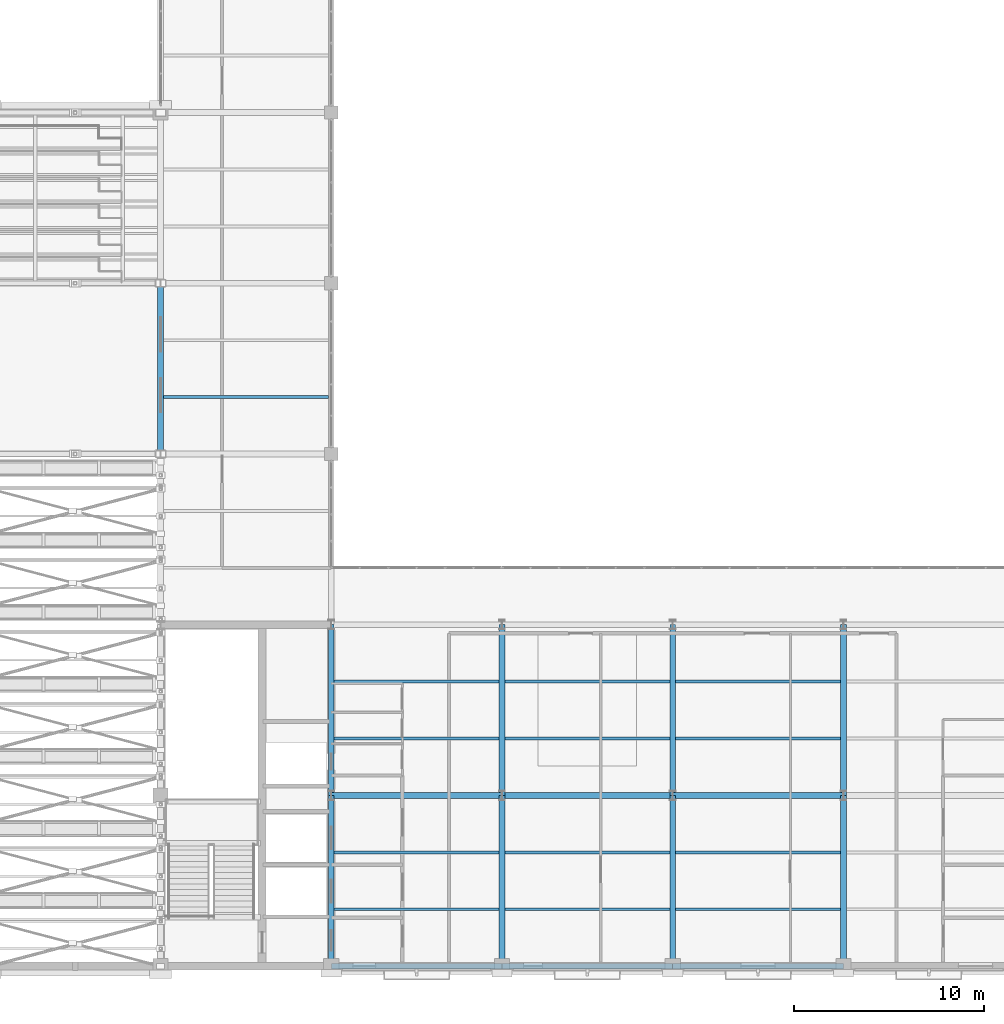
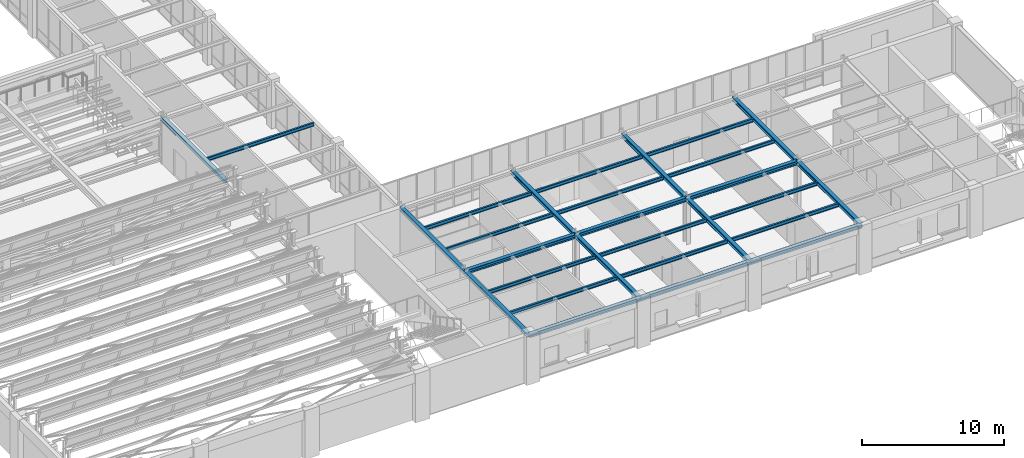
# One storey, part 26 of 108: 28 beams.
"""IFC4 building model written with IfcOpenShell, lengths in metres."""

import ifcopenshell
import ifcopenshell.guid

model = None  # the IFC model being written
_history = None  # IfcOwnerHistory: only IFC2X3 demands one
_inside = {}  # id of a spatial element -> (the spatial element, [elements in it])
_under = {}  # id of a project, library or spatial element -> (it, [spatial elements below it])
_declared = {}  # id of a project -> (the project, [libraries it declares])
_typed = {}  # id of a type object -> (the type object, [elements of that type])
_made_of = {}  # id of a material, layer set ... -> (it, [elements and type objects made of it])


def new_model(schema):
    """Start an empty IFC model of exactly this schema.

    Asked for "IFC4X3", IfcOpenShell would pick the latest addendum, in which some entities
    have other attributes; the version numbers below select the first issue.
    IFC2X3 requires an IfcOwnerHistory on every rooted entity: one is made here for all.
    """
    global model, _history
    if schema == "IFC4X3":
        model = ifcopenshell.file(schema_version=(4, 3, 0, 0))
    else:
        model = ifcopenshell.file(schema=schema)
    _inside.clear()
    _under.clear()
    _declared.clear()
    _typed.clear()
    _made_of.clear()
    _history = None
    if model.schema == "IFC2X3":
        org = make("IfcOrganization", Name="unknown")
        user = make(
            "IfcPersonAndOrganization",
            ThePerson=make("IfcPerson", FamilyName="unknown"),
            TheOrganization=org,
        )
        app = make(
            "IfcApplication",
            ApplicationDeveloper=org,
            Version="unknown",
            ApplicationFullName="unknown",
            ApplicationIdentifier="unknown",
        )
        _history = make(
            "IfcOwnerHistory",
            OwningUser=user,
            OwningApplication=app,
            ChangeAction="ADDED",
            CreationDate=0,
        )
    return model


def make(cls, **values):
    """One entity of the class cls with the attributes given. An attribute that is None is left unset."""
    return model.create_entity(
        cls, **{name: value for name, value in values.items() if value is not None}
    )


def rooted(cls, **values):
    """An entity with a GlobalId (a new one), such as an element, a storey or a relation."""
    return make(cls, GlobalId=ifcopenshell.guid.new(), OwnerHistory=_history, **values)


def si_unit(unit_type, name, prefix=None):
    """IfcSIUnit, for example si_unit("LENGTHUNIT", "METRE", prefix="MILLI")."""
    return make("IfcSIUnit", UnitType=unit_type, Prefix=prefix, Name=name)


def assignment(units):
    """IfcUnitAssignment: the units of a project."""
    return None if units is None else make("IfcUnitAssignment", Units=units)


def point(xyz):
    """IfcCartesianPoint."""
    return None if xyz is None else make("IfcCartesianPoint", Coordinates=xyz)


def direction(xyz):
    """IfcDirection."""
    return None if xyz is None else make("IfcDirection", DirectionRatios=xyz)


def frame(location, z_axis=None, x_axis=None):
    """IfcAxis2Placement3D, a coordinate frame: its origin and axes. An axis left out is left unset."""
    return make(
        "IfcAxis2Placement3D",
        Location=point(location),
        Axis=direction(z_axis),
        RefDirection=direction(x_axis),
    )


def frame_2d(location, x_axis=None):
    """IfcAxis2Placement2D, a coordinate frame in the plane: its origin and x axis."""
    return make(
        "IfcAxis2Placement2D", Location=point(location), RefDirection=direction(x_axis)
    )


def origin():
    """The frame at (0, 0, 0) with its axes left unset."""
    return frame((0.0, 0.0, 0.0))


def origin_2d():
    """The frame at (0, 0) in the plane with its x axis left unset."""
    return frame_2d((0.0, 0.0))


def place(relative_to, where):
    """IfcLocalPlacement: puts the frame where relative to a parent placement (None: the world)."""
    return make(
        "IfcLocalPlacement", PlacementRelTo=relative_to, RelativePlacement=where
    )


def context(
    kind, dimensions, precision=None, world=None, true_north=None, identifier=None
):
    """IfcGeometricRepresentationContext, for example the 3D "Model" context."""
    return make(
        "IfcGeometricRepresentationContext",
        ContextIdentifier=identifier,
        ContextType=kind,
        CoordinateSpaceDimension=dimensions,
        Precision=precision,
        WorldCoordinateSystem=world,
        TrueNorth=true_north,
    )


def subcontext(parent, identifier, kind, view, scale=None):
    """IfcGeometricRepresentationSubContext, for example "Body" below "Model"."""
    return make(
        "IfcGeometricRepresentationSubContext",
        ContextIdentifier=identifier,
        ContextType=kind,
        ParentContext=parent,
        TargetScale=scale,
        TargetView=view,
    )


def project(units=None, contexts=None):
    """IfcProject with its units and contexts."""
    return rooted(
        "IfcProject",
        Name="project",
        RepresentationContexts=contexts,
        UnitsInContext=assignment(units),
    )


def spatial(cls, under=None, at=None, **own):
    """A site, building, storey or space (cls), placed at a placement, below another one or the project."""
    s = rooted(cls, ObjectPlacement=at, **own)
    if under is not None:
        _under.setdefault(under.id(), (under, []))[1].append(s)
    return s


def profile(cls, at=None, kind="AREA", **sizes):
    """A parametric profile (cls). Its sizes go by their IFC names, for example OverallWidth=200.0."""
    return make(cls, ProfileType=kind, Position=at, **sizes)


def i_section(**sizes):
    """IfcIShapeProfileDef."""
    return profile("IfcIShapeProfileDef", **sizes)


def extrude(swept, where, along, depth):
    """IfcExtrudedAreaSolid: the profile swept, set in the frame where, extruded along a direction by depth."""
    return make(
        "IfcExtrudedAreaSolid",
        SweptArea=swept,
        Position=where,
        ExtrudedDirection=direction(along),
        Depth=depth,
    )


def shape(context_of_items, identifier, shape_type, items):
    """IfcShapeRepresentation: the items that make up one representation, for example the "Body"."""
    return make(
        "IfcShapeRepresentation",
        ContextOfItems=context_of_items,
        RepresentationIdentifier=identifier,
        RepresentationType=shape_type,
        Items=items,
    )


def material(Name=None, Category=None):
    """IfcMaterial."""
    return make("IfcMaterial", Name=Name, Category=Category)


def material_profile(
    of_material, cross_section, Name=None, Category=None, Priority=None
):
    """IfcMaterialProfile: a cross section and its material."""
    return make(
        "IfcMaterialProfile",
        Name=Name,
        Material=of_material,
        Profile=cross_section,
        Priority=Priority,
        Category=Category,
    )


def profile_set(profiles, Name=None, composite=None):
    """IfcMaterialProfileSet."""
    return make(
        "IfcMaterialProfileSet",
        Name=Name,
        MaterialProfiles=profiles,
        CompositeProfile=composite,
    )


def made_of(thing, what):
    """Note that an element or type object is made of a material, layer set ...; save() writes the relation."""
    if what is not None:
        _made_of.setdefault(what.id(), (what, []))[1].append(thing)
    return thing


def type_object(cls, material=None, **own):
    """A type object (cls), such as IfcWallType, which elements share."""
    return made_of(rooted(cls, **own), material)


def element(
    cls,
    number,
    at=None,
    inside=None,
    cuts=None,
    type_object=None,
    material=None,
    context=None,
    identifier="Body",
    shape_type=None,
    held_by="IfcProductDefinitionShape",
    body=None,
    shapes=None,
    **own,
):
    """One element of the class cls, such as IfcWall. Its Tag is "e" and its number.

    at: its placement. inside: the storey or other place that contains it. cuts: it is an
    opening in that element (IfcRelVoidsElement). A single representation is given by context,
    identifier, shape_type and body (its items); several are given by shapes. held_by: the class
    of the entity that holds the representations. save() writes the other relations.
    """
    e = rooted(cls, Tag="e%d" % number, ObjectPlacement=at, **own)
    if body is not None:
        shapes = [shape(context, identifier, shape_type, body)]
    if shapes is not None:
        e.Representation = make(held_by, Representations=shapes)
    if inside is not None:
        _inside.setdefault(inside.id(), (inside, []))[1].append(e)
    if cuts is not None:
        rooted(
            "IfcRelVoidsElement", RelatingBuildingElement=cuts, RelatedOpeningElement=e
        )
    if type_object is not None:
        _typed.setdefault(type_object.id(), (type_object, []))[1].append(e)
    return made_of(e, material)


def aggregate(whole, parts):
    """IfcRelAggregates: a whole, such as a stair, and the parts it consists of."""
    return rooted("IfcRelAggregates", RelatingObject=whole, RelatedObjects=parts)


def save(model, path):
    """Write the relations noted so far, then the file.

    IfcRelAggregates (storeys below a building ...), IfcRelContainedInSpatialStructure (elements
    in a storey), IfcRelDefinesByType, IfcRelAssociatesMaterial and IfcRelDeclares: one each for
    every whole, place, type object, material and project.
    """
    for whole, parts in _under.values():
        aggregate(whole, parts)
    for where, things in _inside.values():
        rooted(
            "IfcRelContainedInSpatialStructure",
            RelatedElements=things,
            RelatingStructure=where,
        )
    for kind, things in _typed.values():
        rooted("IfcRelDefinesByType", RelatedObjects=things, RelatingType=kind)
    for what, things in _made_of.values():
        rooted("IfcRelAssociatesMaterial", RelatedObjects=things, RelatingMaterial=what)
    for by, libraries in _declared.values():
        rooted("IfcRelDeclares", RelatingContext=by, RelatedDefinitions=libraries)
    model.write(path)


model = new_model("IFC4")

# Units and contexts
model_context = context("Model", 3, precision=1e-05, world=origin(), true_north=direction((0.0, 1.0)))
body_context = subcontext(model_context, "Body", "Model", "MODEL_VIEW")
ifc_project = project(units=[si_unit("LENGTHUNIT", "METRE"), si_unit("AREAUNIT", "SQUARE_METRE"), si_unit("VOLUMEUNIT", "CUBIC_METRE"), si_unit("PLANEANGLEUNIT", "RADIAN"), si_unit("MASSUNIT", "GRAM", prefix="KILO")], contexts=[model_context])

# Site, building, storey
site_placement = place(None, origin())
site = spatial("IfcSite", under=ifc_project, at=site_placement, CompositionType="ELEMENT")
building_placement = place(site_placement, origin())
building = spatial("IfcBuilding", under=site, at=building_placement, Name="Lykobir Media Centre", CompositionType="ELEMENT")
storey_placement = place(building_placement, frame((0.0, 0.0, 15.0)))
storey = spatial("IfcBuildingStorey", under=building, at=storey_placement, Name="L03", CompositionType="ELEMENT", Elevation=15.0)

# Beams
ifc_material = material(Name="Steel S355", Category="steel")
ifc_material_profile_1 = material_profile(ifc_material, i_section(OverallWidth=0.300048828125, OverallDepth=0.31005859375, WebThickness=0.009033203125, FlangeThickness=0.015380859375, at=origin_2d()), Name="HEA 320")
ifc_profile_set_1 = profile_set([ifc_material_profile_1], Name="Steel S355")
beam_type_1 = type_object("IfcBeamType", Name="BM-HEA320", PredefinedType="BEAM", material=ifc_profile_set_1)
for number, where, z_axis, x_axis, name in (
    (1, (36.0, 0.0, 3.804931640625), (0.0, 1.0, 0.0), (-1.0, 0.0, 0.0), "Beam BM-L03-0360-0000-0360-0090-1880"),
    (2, (36.0, 9.0, 3.804931640625), (0.0, 1.0, 0.0), (-1.0, 0.0, 0.0), "Beam BM-L03-0360-0090-0360-0180-1880"),
    (3, (45.0, 0.0, 3.804931640625), (0.0, 1.0, 0.0), (-1.0, 0.0, 0.0), "Beam BM-L03-0450-0000-0450-0090-1880"),
    (4, (45.0, 9.0, 3.804931640625), (0.0, 1.0, 0.0), (-1.0, 0.0, 0.0), "Beam BM-L03-0450-0090-0450-0180-1880"),
    (5, (54.0, 0.0, 3.804931640625), (0.0, 1.0, 0.0), (-1.0, 0.0, 0.0), "Beam BM-L03-0540-0000-0540-0090-1880"),
    (6, (54.0, 9.0, 3.804931640625), (0.0, 1.0, 0.0), (-1.0, 0.0, 0.0), "Beam BM-L03-0540-0090-0540-0180-1880"),
    (7, (63.0, 0.0, 3.804931640625), (0.0, 1.0, 0.0), (-1.0, 0.0, 0.0), "Beam BM-L03-0630-0000-0630-0090-1880"),
    (8, (63.0, 9.0, 3.804931640625), (0.0, 1.0, 0.0), (-1.0, 0.0, 0.0), "Beam BM-L03-0630-0090-0630-0180-1880"),
):
    element("IfcBeam", number, at=place(storey_placement, frame(where, z_axis=z_axis, x_axis=x_axis)), inside=storey, type_object=beam_type_1, Name=name, PredefinedType="BEAM", context=body_context, shape_type="SweptSolid", body=[
        extrude(i_section(OverallWidth=0.300048828125, OverallDepth=0.31005859375, WebThickness=0.009033203125, FlangeThickness=0.015380859375, at=origin_2d()), origin(), (0.0, 0.0, 1.0), 9.0),
    ])
ifc_material_profile_2 = material_profile(ifc_material, i_section(OverallWidth=0.300048828125, OverallDepth=0.330078125, WebThickness=0.009521484375, FlangeThickness=0.0166015625, at=origin_2d()), Name="HEA 340")
ifc_profile_set_2 = profile_set([ifc_material_profile_2], Name="Steel S355")
beam_type_2 = type_object("IfcBeamType", Name="BM-HEA340", PredefinedType="BEAM", material=ifc_profile_set_2)
for number, where, z_axis, x_axis, name in (
    (9, (36.0, 9.0, 3.794921875), (1.0, 0.0, 0.0), (0.0, 1.0, 0.0), "Beam BM-L03-0360-0090-0450-0090-1880"),
    (10, (45.0, 9.0, 3.794921875), (1.0, 0.0, 0.0), (0.0, 1.0, 0.0), "Beam BM-L03-0450-0090-0540-0090-1880"),
    (11, (54.0, 9.0, 3.794921875), (1.0, 0.0, 0.0), (0.0, 1.0, 0.0), "Beam BM-L03-0540-0090-0630-0090-1880"),
):
    element("IfcBeam", number, at=place(storey_placement, frame(where, z_axis=z_axis, x_axis=x_axis)), inside=storey, type_object=beam_type_2, Name=name, PredefinedType="BEAM", context=body_context, shape_type="SweptSolid", body=[
        extrude(i_section(OverallWidth=0.300048828125, OverallDepth=0.330078125, WebThickness=0.009521484375, FlangeThickness=0.0166015625, at=origin_2d()), origin(), (0.0, 0.0, 1.0), 9.0),
    ])
ifc_material_profile_3 = material_profile(ifc_material, i_section(OverallWidth=0.14990234375, OverallDepth=0.300048828125, WebThickness=0.007080078125, FlangeThickness=0.0107421875, at=origin_2d()), Name="IPE 300")
ifc_profile_set_3 = profile_set([ifc_material_profile_3], Name="Steel S355")
beam_type_3 = type_object("IfcBeamType", Name="JS-IPE300", PredefinedType="JOIST", material=ifc_profile_set_3)
for number, where, z_axis, x_axis, name in (
    (12, (27.14990234375, 30.0, 3.81005859375), (1.0, 0.0, 0.0), (0.0, 1.0, 0.0), "Beam BM-L03-0272-0300-0358-0300-1881"),
    (13, (36.14990234375, 3.0, 3.81005859375), (1.0, 0.0, 0.0), (0.0, 1.0, 0.0), "Beam BM-L03-0362-0030-0448-0030-1881"),
    (14, (36.14990234375, 6.0, 3.81005859375), (1.0, 0.0, 0.0), (0.0, 1.0, 0.0), "Beam BM-L03-0362-0060-0448-0060-1881"),
    (15, (36.14990234375, 12.0, 3.81005859375), (1.0, 0.0, 0.0), (0.0, 1.0, 0.0), "Beam BM-L03-0362-0120-0448-0120-1881"),
    (16, (36.14990234375, 15.0, 3.81005859375), (1.0, 0.0, 0.0), (0.0, 1.0, 0.0), "Beam BM-L03-0362-0150-0448-0150-1881"),
    (17, (45.14990234375, 3.0, 3.81005859375), (1.0, 0.0, 0.0), (0.0, 1.0, 0.0), "Beam BM-L03-0452-0030-0538-0030-1881"),
    (18, (45.14990234375, 6.0, 3.81005859375), (1.0, 0.0, 0.0), (0.0, 1.0, 0.0), "Beam BM-L03-0452-0060-0538-0060-1881"),
    (19, (45.14990234375, 12.0, 3.81005859375), (1.0, 0.0, 0.0), (0.0, 1.0, 0.0), "Beam BM-L03-0452-0120-0538-0120-1881"),
    (20, (45.14990234375, 15.0, 3.81005859375), (1.0, 0.0, 0.0), (0.0, 1.0, 0.0), "Beam BM-L03-0452-0150-0538-0150-1881"),
    (21, (54.14990234375, 3.0, 3.81005859375), (1.0, 0.0, 0.0), (0.0, 1.0, 0.0), "Beam BM-L03-0542-0030-0628-0030-1881"),
    (22, (54.14990234375, 6.0, 3.81005859375), (1.0, 0.0, 0.0), (0.0, 1.0, 0.0), "Beam BM-L03-0542-0060-0628-0060-1881"),
    (23, (54.14990234375, 12.0, 3.81005859375), (1.0, 0.0, 0.0), (0.0, 1.0, 0.0), "Beam BM-L03-0542-0120-0628-0120-1881"),
    (24, (54.14990234375, 15.0, 3.81005859375), (1.0, 0.0, 0.0), (0.0, 1.0, 0.0), "Beam BM-L03-0542-0150-0628-0150-1881"),
):
    element("IfcBeam", number, at=place(storey_placement, frame(where, z_axis=z_axis, x_axis=x_axis)), inside=storey, type_object=beam_type_3, Name=name, PredefinedType="JOIST", context=body_context, shape_type="SweptSolid", body=[
        extrude(i_section(OverallWidth=0.14990234375, OverallDepth=0.300048828125, WebThickness=0.007080078125, FlangeThickness=0.0107421875, at=origin_2d()), origin(), (0.0, 0.0, 1.0), 8.7001953125),
    ])
ifc_material_profile_4 = material_profile(ifc_material, i_section(OverallWidth=0.300048828125, OverallDepth=0.31005859375, WebThickness=0.009033203125, FlangeThickness=0.015380859375, at=origin_2d()), Name="HEA 320")
ifc_profile_set_4 = profile_set([ifc_material_profile_4], Name="Steel S355")
beam_type_4 = type_object("IfcBeamType", Name="SP-HEA320", PredefinedType="SPANDREL", material=ifc_profile_set_4)
beam_placement = place(storey_placement, frame((27.0, 27.0, 3.794921875), z_axis=(0.0, 1.0, 0.0), x_axis=(-1.0, 0.0, 0.0)))
element("IfcBeam", 25, at=beam_placement, inside=storey, type_object=beam_type_4, Name="Beam BM-L03-0270-0270-0270-0360-1880", PredefinedType="SPANDREL", context=body_context, shape_type="SweptSolid", body=[
    extrude(i_section(OverallWidth=0.300048828125, OverallDepth=0.31005859375, WebThickness=0.009033203125, FlangeThickness=0.015380859375, at=origin_2d()), origin(), (0.0, 0.0, 1.0), 9.0),
])
ifc_material_profile_5 = material_profile(ifc_material, i_section(OverallWidth=0.300048828125, OverallDepth=0.31005859375, WebThickness=0.009033203125, FlangeThickness=0.015380859375, at=origin_2d()), Name="HEA 320")
ifc_profile_set_5 = profile_set([ifc_material_profile_5], Name="Steel S355")
beam_type_5 = type_object("IfcBeamType", Name="SP-HEA320-E", PredefinedType="SPANDREL", material=ifc_profile_set_5)
for number, where, z_axis, x_axis, name in (
    (26, (36.0, 0.0, 3.804931640625), (1.0, 0.0, 0.0), (0.0, 1.0, 0.0), "Beam BM-L03-0360-0000-0450-0000-1880"),
    (27, (45.0, 0.0, 3.804931640625), (1.0, 0.0, 0.0), (0.0, 1.0, 0.0), "Beam BM-L03-0450-0000-0540-0000-1880"),
    (28, (54.0, 0.0, 3.804931640625), (1.0, 0.0, 0.0), (0.0, 1.0, 0.0), "Beam BM-L03-0540-0000-0630-0000-1880"),
):
    element("IfcBeam", number, at=place(storey_placement, frame(where, z_axis=z_axis, x_axis=x_axis)), inside=storey, type_object=beam_type_5, Name=name, PredefinedType="SPANDREL", context=body_context, shape_type="SweptSolid", body=[
        extrude(i_section(OverallWidth=0.300048828125, OverallDepth=0.31005859375, WebThickness=0.009033203125, FlangeThickness=0.015380859375, at=origin_2d()), origin(), (0.0, 0.0, 1.0), 9.0),
    ])

save(model, "model.ifc")
